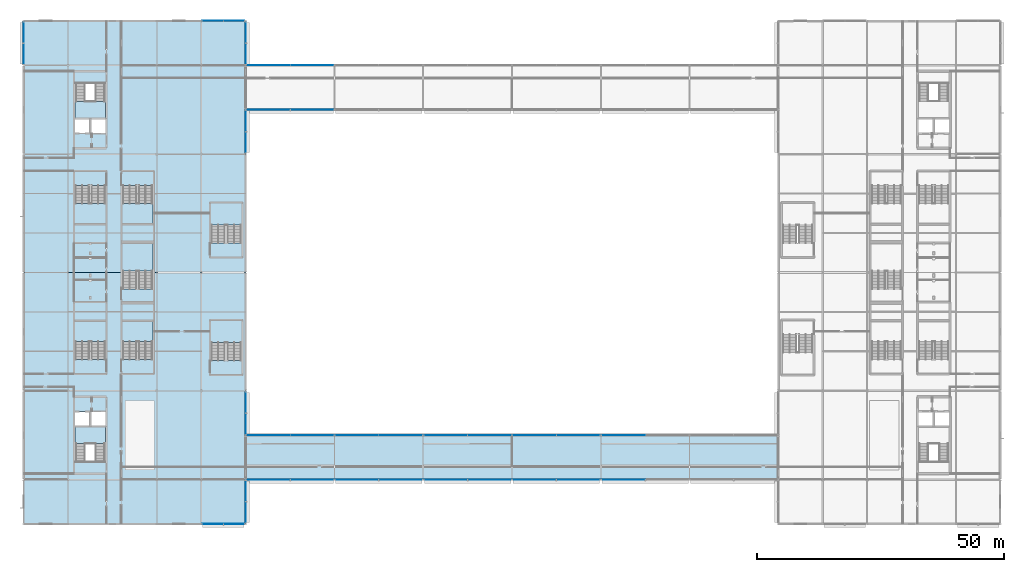
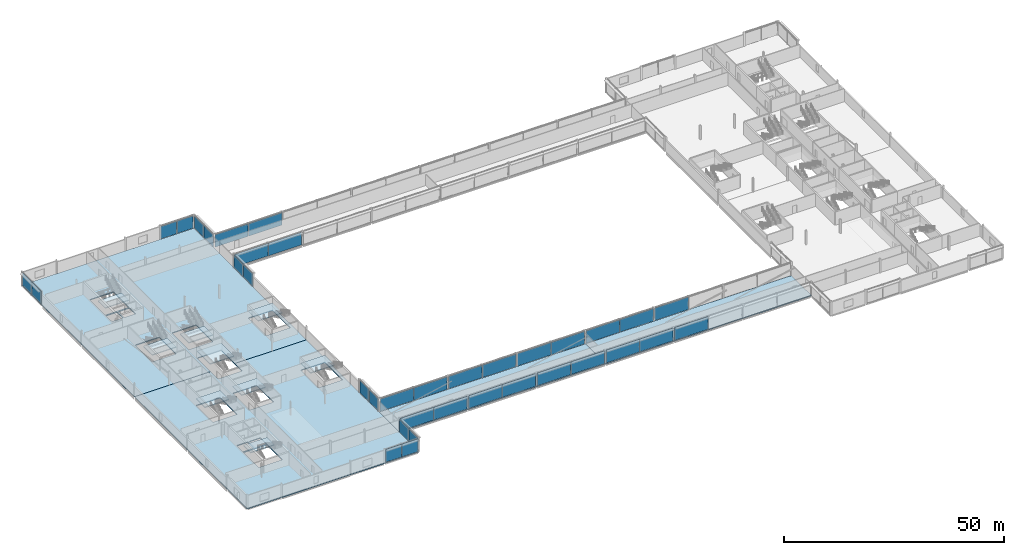
# One storey, part 54 of 98: 36 plates, 13 slabs, 28 elements without a shape of their own.
"""IFC4 building model written with IfcOpenShell, lengths in metres."""

from ifc_helpers import new_model, si_unit, direction, frame, origin, origin_2d, place, context, subcontext, project, spatial, polyline, rectangle, outline, extrude, material, layer, layer_set, type_object, element, aggregate, save


model = new_model("IFC4")

# Units and contexts
model_context = context("Model", 3, precision=1e-05, world=origin(), true_north=direction((0.0, 1.0)))
body_context = subcontext(model_context, "Body", "Model", "MODEL_VIEW")
ifc_project = project(units=[si_unit("LENGTHUNIT", "METRE"), si_unit("AREAUNIT", "SQUARE_METRE"), si_unit("VOLUMEUNIT", "CUBIC_METRE"), si_unit("PLANEANGLEUNIT", "RADIAN"), si_unit("MASSUNIT", "GRAM", prefix="KILO")], contexts=[model_context])

# Site, building, storey
site_placement = place(None, origin())
site = spatial("IfcSite", under=ifc_project, at=site_placement, CompositionType="ELEMENT")
building_placement = place(site_placement, origin())
building = spatial("IfcBuilding", under=site, at=building_placement, Name="Kisiwana Market Hall", CompositionType="ELEMENT")
storey_placement = place(building_placement, frame((0.0, 0.0, 29.39990234375)))
storey = spatial("IfcBuildingStorey", under=building, at=storey_placement, Name="L06", CompositionType="ELEMENT", Elevation=29.39990234375)

# Curtain wall, plates
ifc_material_1 = material(Name="Double-glazed solar-control low-E IGU", Category="glass")
ifc_layer_1 = layer(ifc_material_1, 0.159912109375)
ifc_layer_set_1 = layer_set([ifc_layer_1], Name="CW-ZNA-EW-8200")
curtain_wall_type = type_object("IfcCurtainWallType", Name="CW-ZNA-EW-8200", PredefinedType="USERDEFINED", material=ifc_layer_set_1)
curtain_wall_1_placement = place(storey_placement, origin())
curtain_wall_1 = element("IfcCurtainWall", 1, at=curtain_wall_1_placement, inside=storey, type_object=curtain_wall_type, Name="Unitised curtain wall CW-169 (L06)", ObjectType="UNITISED CURTAIN WALL", PredefinedType="USERDEFINED")
ifc_material_2 = material(Name="Double-glazed solar-control low-E IGU", Category="glass")
ifc_layer_2 = layer(ifc_material_2, 0.02392578125)
ifc_layer_set_2 = layer_set([ifc_layer_2], Name="PL-IGU-24")
plate_type_1 = type_object("IfcPlateType", Name="PL-IGU-24", PredefinedType="CURTAIN_PANEL", material=ifc_layer_set_2)
plate_1_placement = place(storey_placement, frame((38.357666015625, 9.0, 0.06005859375), z_axis=(0.0, 0.0, 1.0), x_axis=(1.0, 0.0, 0.0)))
plate_1 = element("IfcPlate", 2, at=plate_1_placement, type_object=plate_type_1, Name="CW-169 panel 1.1", PredefinedType="CURTAIN_PANEL", context=body_context, shape_type="SweptSolid", body=[
    extrude(rectangle(XDim=4.224609375, YDim=0.02392578125, at=origin_2d()), origin(), (0.0, 0.0, 1.0), 3.5),
])
plate_2_placement = place(storey_placement, frame((42.642333984375, 9.0, 0.06005859375), z_axis=(0.0, 0.0, 1.0), x_axis=(1.0, 0.0, 0.0)))
plate_2 = element("IfcPlate", 3, at=plate_2_placement, type_object=plate_type_1, Name="CW-169 panel 2.1", PredefinedType="CURTAIN_PANEL", context=body_context, shape_type="SweptSolid", body=[
    extrude(rectangle(XDim=4.224609375, YDim=0.02392578125, at=origin_2d()), origin(), (0.0, 0.0, 1.0), 3.5),
])
aggregate(curtain_wall_1, [plate_1, plate_2])

curtain_wall_2_placement = place(storey_placement, origin())
curtain_wall_2 = element("IfcCurtainWall", 4, at=curtain_wall_2_placement, inside=storey, type_object=curtain_wall_type, Name="Unitised curtain wall CW-173 (L06)", ObjectType="UNITISED CURTAIN WALL", PredefinedType="USERDEFINED")
plate_3_placement = place(storey_placement, frame((67.577392578125, 18.0, 0.06005859375), z_axis=(0.0, 0.0, 1.0), x_axis=(1.0, 0.0, 0.0)))
plate_3 = element("IfcPlate", 5, at=plate_3_placement, type_object=plate_type_1, Name="CW-173 panel 1.1", PredefinedType="CURTAIN_PANEL", context=body_context, shape_type="SweptSolid", body=[
    extrude(rectangle(XDim=8.784912109375, YDim=0.02392578125, at=origin_2d()), origin(), (0.0, 0.0, 1.0), 3.5),
])
plate_4_placement = place(storey_placement, frame((76.422607421875, 18.0, 0.06005859375), z_axis=(0.0, 0.0, 1.0), x_axis=(1.0, 0.0, 0.0)))
plate_4 = element("IfcPlate", 6, at=plate_4_placement, type_object=plate_type_1, Name="CW-173 panel 2.1", PredefinedType="CURTAIN_PANEL", context=body_context, shape_type="SweptSolid", body=[
    extrude(rectangle(XDim=8.784912109375, YDim=0.02392578125, at=origin_2d()), origin(), (0.0, 0.0, 1.0), 3.5),
])
aggregate(curtain_wall_2, [plate_3, plate_4])

curtain_wall_3_placement = place(storey_placement, origin())
curtain_wall_3 = element("IfcCurtainWall", 7, at=curtain_wall_3_placement, inside=storey, type_object=curtain_wall_type, Name="Unitised curtain wall CW-175 (L06)", ObjectType="UNITISED CURTAIN WALL", PredefinedType="USERDEFINED")
plate_5_placement = place(storey_placement, frame((103.577392578125, 18.0, 0.06005859375), z_axis=(0.0, 0.0, 1.0), x_axis=(1.0, 0.0, 0.0)))
plate_5 = element("IfcPlate", 8, at=plate_5_placement, type_object=plate_type_1, Name="CW-175 panel 1.1", PredefinedType="CURTAIN_PANEL", context=body_context, shape_type="SweptSolid", body=[
    extrude(rectangle(XDim=8.784912109375, YDim=0.02392578125, at=origin_2d()), origin(), (0.0, 0.0, 1.0), 3.5),
])
plate_6_placement = place(storey_placement, frame((112.422607421875, 18.0, 0.06005859375), z_axis=(0.0, 0.0, 1.0), x_axis=(1.0, 0.0, 0.0)))
plate_6 = element("IfcPlate", 9, at=plate_6_placement, type_object=plate_type_1, Name="CW-175 panel 2.1", PredefinedType="CURTAIN_PANEL", context=body_context, shape_type="SweptSolid", body=[
    extrude(rectangle(XDim=8.784912109375, YDim=0.02392578125, at=origin_2d()), origin(), (0.0, 0.0, 1.0), 3.5),
])
aggregate(curtain_wall_3, [plate_5, plate_6])

curtain_wall_4_placement = place(storey_placement, origin())
curtain_wall_4 = element("IfcCurtainWall", 10, at=curtain_wall_4_placement, inside=storey, type_object=curtain_wall_type, Name="Unitised curtain wall CW-179 (L06)", ObjectType="UNITISED CURTAIN WALL", PredefinedType="USERDEFINED")
plate_7_placement = place(storey_placement, frame((67.577392578125, 27.0, 0.06005859375), z_axis=(0.0, 0.0, 1.0), x_axis=(1.0, 0.0, 0.0)))
plate_7 = element("IfcPlate", 11, at=plate_7_placement, type_object=plate_type_1, Name="CW-179 panel 1.1", PredefinedType="CURTAIN_PANEL", context=body_context, shape_type="SweptSolid", body=[
    extrude(rectangle(XDim=8.784912109375, YDim=0.02392578125, at=origin_2d()), origin(), (0.0, 0.0, 1.0), 3.5),
])
plate_8_placement = place(storey_placement, frame((76.422607421875, 27.0, 0.06005859375), z_axis=(0.0, 0.0, 1.0), x_axis=(1.0, 0.0, 0.0)))
plate_8 = element("IfcPlate", 12, at=plate_8_placement, type_object=plate_type_1, Name="CW-179 panel 2.1", PredefinedType="CURTAIN_PANEL", context=body_context, shape_type="SweptSolid", body=[
    extrude(rectangle(XDim=8.784912109375, YDim=0.02392578125, at=origin_2d()), origin(), (0.0, 0.0, 1.0), 3.5),
])
aggregate(curtain_wall_4, [plate_7, plate_8])

curtain_wall_5_placement = place(storey_placement, origin())
curtain_wall_5 = element("IfcCurtainWall", 13, at=curtain_wall_5_placement, inside=storey, type_object=curtain_wall_type, Name="Unitised curtain wall CW-181 (L06)", ObjectType="UNITISED CURTAIN WALL", PredefinedType="USERDEFINED")
plate_9_placement = place(storey_placement, frame((103.577392578125, 27.0, 0.06005859375), z_axis=(0.0, 0.0, 1.0), x_axis=(1.0, 0.0, 0.0)))
plate_9 = element("IfcPlate", 14, at=plate_9_placement, type_object=plate_type_1, Name="CW-181 panel 1.1", PredefinedType="CURTAIN_PANEL", context=body_context, shape_type="SweptSolid", body=[
    extrude(rectangle(XDim=8.784912109375, YDim=0.02392578125, at=origin_2d()), origin(), (0.0, 0.0, 1.0), 3.5),
])
plate_10_placement = place(storey_placement, frame((112.422607421875, 27.0, 0.06005859375), z_axis=(0.0, 0.0, 1.0), x_axis=(1.0, 0.0, 0.0)))
plate_10 = element("IfcPlate", 15, at=plate_10_placement, type_object=plate_type_1, Name="CW-181 panel 2.1", PredefinedType="CURTAIN_PANEL", context=body_context, shape_type="SweptSolid", body=[
    extrude(rectangle(XDim=8.784912109375, YDim=0.02392578125, at=origin_2d()), origin(), (0.0, 0.0, 1.0), 3.5),
])
aggregate(curtain_wall_5, [plate_9, plate_10])

curtain_wall_6_placement = place(storey_placement, origin())
curtain_wall_6 = element("IfcCurtainWall", 16, at=curtain_wall_6_placement, inside=storey, type_object=curtain_wall_type, Name="Unitised curtain wall CW-199 (L06)", ObjectType="UNITISED CURTAIN WALL", PredefinedType="USERDEFINED")
plate_11_placement = place(storey_placement, frame((0.0, 104.35546875, 0.06005859375), z_axis=(0.0, 0.0, 1.0), x_axis=(0.0, 1.0, 0.0)))
plate_11 = element("IfcPlate", 17, at=plate_11_placement, type_object=plate_type_1, Name="CW-199 panel 1.1", PredefinedType="CURTAIN_PANEL", context=body_context, shape_type="SweptSolid", body=[
    extrude(rectangle(XDim=4.22900390625, YDim=0.02392578125, at=origin_2d()), origin(), (0.0, 0.0, 1.0), 3.5),
])
plate_12_placement = place(storey_placement, frame((0.0, 108.64453125, 0.06005859375), z_axis=(0.0, 0.0, 1.0), x_axis=(0.0, 1.0, 0.0)))
plate_12 = element("IfcPlate", 18, at=plate_12_placement, type_object=plate_type_1, Name="CW-199 panel 2.1", PredefinedType="CURTAIN_PANEL", context=body_context, shape_type="SweptSolid", body=[
    extrude(rectangle(XDim=4.22900390625, YDim=0.02392578125, at=origin_2d()), origin(), (0.0, 0.0, 1.0), 3.5),
])
aggregate(curtain_wall_6, [plate_11, plate_12])

curtain_wall_7_placement = place(storey_placement, origin())
curtain_wall_7 = element("IfcCurtainWall", 19, at=curtain_wall_7_placement, inside=storey, type_object=curtain_wall_type, Name="Unitised curtain wall CW-201 (L06)", ObjectType="UNITISED CURTAIN WALL", PredefinedType="USERDEFINED")
plate_13_placement = place(storey_placement, frame((45.0, 29.35546875, 0.06005859375), z_axis=(0.0, 0.0, 1.0), x_axis=(0.0, 1.0, 0.0)))
plate_13 = element("IfcPlate", 20, at=plate_13_placement, type_object=plate_type_1, Name="CW-201 panel 1.1", PredefinedType="CURTAIN_PANEL", context=body_context, shape_type="SweptSolid", body=[
    extrude(rectangle(XDim=4.22900390625, YDim=0.02392578125, at=origin_2d()), origin(), (0.0, 0.0, 1.0), 3.5),
])
plate_14_placement = place(storey_placement, frame((45.0, 33.64453125, 0.06005859375), z_axis=(0.0, 0.0, 1.0), x_axis=(0.0, 1.0, 0.0)))
plate_14 = element("IfcPlate", 21, at=plate_14_placement, type_object=plate_type_1, Name="CW-201 panel 2.1", PredefinedType="CURTAIN_PANEL", context=body_context, shape_type="SweptSolid", body=[
    extrude(rectangle(XDim=4.22900390625, YDim=0.02392578125, at=origin_2d()), origin(), (0.0, 0.0, 1.0), 3.5),
])
aggregate(curtain_wall_7, [plate_13, plate_14])

curtain_wall_8_placement = place(storey_placement, origin())
curtain_wall_8 = element("IfcCurtainWall", 22, at=curtain_wall_8_placement, inside=storey, type_object=curtain_wall_type, Name="Unitised curtain wall CW-203 (L06)", ObjectType="UNITISED CURTAIN WALL", PredefinedType="USERDEFINED")
plate_15_placement = place(storey_placement, frame((45.0, 104.35546875, 0.06005859375), z_axis=(0.0, 0.0, 1.0), x_axis=(0.0, 1.0, 0.0)))
plate_15 = element("IfcPlate", 23, at=plate_15_placement, type_object=plate_type_1, Name="CW-203 panel 1.1", PredefinedType="CURTAIN_PANEL", context=body_context, shape_type="SweptSolid", body=[
    extrude(rectangle(XDim=4.22900390625, YDim=0.02392578125, at=origin_2d()), origin(), (0.0, 0.0, 1.0), 3.5),
])
plate_16_placement = place(storey_placement, frame((45.0, 108.64453125, 0.06005859375), z_axis=(0.0, 0.0, 1.0), x_axis=(0.0, 1.0, 0.0)))
plate_16 = element("IfcPlate", 24, at=plate_16_placement, type_object=plate_type_1, Name="CW-203 panel 2.1", PredefinedType="CURTAIN_PANEL", context=body_context, shape_type="SweptSolid", body=[
    extrude(rectangle(XDim=4.22900390625, YDim=0.02392578125, at=origin_2d()), origin(), (0.0, 0.0, 1.0), 3.5),
])
aggregate(curtain_wall_8, [plate_15, plate_16])

curtain_wall_9_placement = place(storey_placement, origin())
curtain_wall_9 = element("IfcCurtainWall", 25, at=curtain_wall_9_placement, inside=storey, type_object=curtain_wall_type, Name="Unitised curtain wall CW-172 (L06)", ObjectType="UNITISED CURTAIN WALL", PredefinedType="USERDEFINED")
ifc_material_3 = material(Name="Double-glazed acoustic laminated IGU", Category="glass")
ifc_layer_3 = layer(ifc_material_3, 0.028076171875)
ifc_layer_set_3 = layer_set([ifc_layer_3], Name="PL-IGU-28")
plate_type_2 = type_object("IfcPlateType", Name="PL-IGU-28", PredefinedType="CURTAIN_PANEL", material=ifc_layer_set_3)
plate_17_placement = place(storey_placement, frame((49.622802734375, 18.0, 0.06005859375), z_axis=(0.0, 0.0, 1.0), x_axis=(1.0, 0.0, 0.0)))
plate_17 = element("IfcPlate", 26, at=plate_17_placement, type_object=plate_type_2, Name="CW-172 panel 1.1", PredefinedType="CURTAIN_PANEL", context=body_context, shape_type="SweptSolid", body=[
    extrude(rectangle(XDim=8.7548828125, YDim=0.028076171875, at=origin_2d()), origin(), (0.0, 0.0, 1.0), 3.5),
])
plate_18_placement = place(storey_placement, frame((58.4375, 18.0, 0.06005859375), z_axis=(0.0, 0.0, 1.0), x_axis=(1.0, 0.0, 0.0)))
plate_18 = element("IfcPlate", 27, at=plate_18_placement, type_object=plate_type_2, Name="CW-172 panel 2.1", PredefinedType="CURTAIN_PANEL", context=body_context, shape_type="SweptSolid", body=[
    extrude(rectangle(XDim=8.7548828125, YDim=0.028076171875, at=origin_2d()), origin(), (0.0, 0.0, 1.0), 3.5),
])
aggregate(curtain_wall_9, [plate_17, plate_18])

curtain_wall_10_placement = place(storey_placement, origin())
curtain_wall_10 = element("IfcCurtainWall", 28, at=curtain_wall_10_placement, inside=storey, type_object=curtain_wall_type, Name="Unitised curtain wall CW-174 (L06)", ObjectType="UNITISED CURTAIN WALL", PredefinedType="USERDEFINED")
plate_19_placement = place(storey_placement, frame((85.577392578125, 18.0, 0.06005859375), z_axis=(0.0, 0.0, 1.0), x_axis=(1.0, 0.0, 0.0)))
plate_19 = element("IfcPlate", 29, at=plate_19_placement, type_object=plate_type_2, Name="CW-174 panel 1.1", PredefinedType="CURTAIN_PANEL", context=body_context, shape_type="SweptSolid", body=[
    extrude(rectangle(XDim=8.784912109375, YDim=0.028076171875, at=origin_2d()), origin(), (0.0, 0.0, 1.0), 3.5),
])
plate_20_placement = place(storey_placement, frame((94.422607421875, 18.0, 0.06005859375), z_axis=(0.0, 0.0, 1.0), x_axis=(1.0, 0.0, 0.0)))
plate_20 = element("IfcPlate", 30, at=plate_20_placement, type_object=plate_type_2, Name="CW-174 panel 2.1", PredefinedType="CURTAIN_PANEL", context=body_context, shape_type="SweptSolid", body=[
    extrude(rectangle(XDim=8.784912109375, YDim=0.028076171875, at=origin_2d()), origin(), (0.0, 0.0, 1.0), 3.5),
])
aggregate(curtain_wall_10, [plate_19, plate_20])

# Curtain wall, plate
curtain_wall_11_placement = place(storey_placement, origin())
curtain_wall_11 = element("IfcCurtainWall", 31, at=curtain_wall_11_placement, inside=storey, type_object=curtain_wall_type, Name="Unitised curtain wall CW-176 (L06)", ObjectType="UNITISED CURTAIN WALL", PredefinedType="USERDEFINED")
plate_21_placement = place(storey_placement, frame((121.577392578125, 18.0, 0.06005859375), z_axis=(0.0, 0.0, 1.0), x_axis=(1.0, 0.0, 0.0)))
plate_21 = element("IfcPlate", 32, at=plate_21_placement, type_object=plate_type_2, Name="CW-176 panel 1.1", PredefinedType="CURTAIN_PANEL", context=body_context, shape_type="SweptSolid", body=[
    extrude(rectangle(XDim=8.784912109375, YDim=0.028076171875, at=origin_2d()), origin(), (0.0, 0.0, 1.0), 3.5),
])
aggregate(curtain_wall_11, [plate_21])

# Curtain wall, plates
curtain_wall_12_placement = place(storey_placement, origin())
curtain_wall_12 = element("IfcCurtainWall", 33, at=curtain_wall_12_placement, inside=storey, type_object=curtain_wall_type, Name="Unitised curtain wall CW-178 (L06)", ObjectType="UNITISED CURTAIN WALL", PredefinedType="USERDEFINED")
plate_22_placement = place(storey_placement, frame((49.622802734375, 27.0, 0.06005859375), z_axis=(0.0, 0.0, 1.0), x_axis=(1.0, 0.0, 0.0)))
plate_22 = element("IfcPlate", 34, at=plate_22_placement, type_object=plate_type_2, Name="CW-178 panel 1.1", PredefinedType="CURTAIN_PANEL", context=body_context, shape_type="SweptSolid", body=[
    extrude(rectangle(XDim=8.7548828125, YDim=0.028076171875, at=origin_2d()), origin(), (0.0, 0.0, 1.0), 3.5),
])
plate_23_placement = place(storey_placement, frame((58.4375, 27.0, 0.06005859375), z_axis=(0.0, 0.0, 1.0), x_axis=(1.0, 0.0, 0.0)))
plate_23 = element("IfcPlate", 35, at=plate_23_placement, type_object=plate_type_2, Name="CW-178 panel 2.1", PredefinedType="CURTAIN_PANEL", context=body_context, shape_type="SweptSolid", body=[
    extrude(rectangle(XDim=8.7548828125, YDim=0.028076171875, at=origin_2d()), origin(), (0.0, 0.0, 1.0), 3.5),
])
aggregate(curtain_wall_12, [plate_22, plate_23])

curtain_wall_13_placement = place(storey_placement, origin())
curtain_wall_13 = element("IfcCurtainWall", 36, at=curtain_wall_13_placement, inside=storey, type_object=curtain_wall_type, Name="Unitised curtain wall CW-180 (L06)", ObjectType="UNITISED CURTAIN WALL", PredefinedType="USERDEFINED")
plate_24_placement = place(storey_placement, frame((85.577392578125, 27.0, 0.06005859375), z_axis=(0.0, 0.0, 1.0), x_axis=(1.0, 0.0, 0.0)))
plate_24 = element("IfcPlate", 37, at=plate_24_placement, type_object=plate_type_2, Name="CW-180 panel 1.1", PredefinedType="CURTAIN_PANEL", context=body_context, shape_type="SweptSolid", body=[
    extrude(rectangle(XDim=8.784912109375, YDim=0.028076171875, at=origin_2d()), origin(), (0.0, 0.0, 1.0), 3.5),
])
plate_25_placement = place(storey_placement, frame((94.422607421875, 27.0, 0.06005859375), z_axis=(0.0, 0.0, 1.0), x_axis=(1.0, 0.0, 0.0)))
plate_25 = element("IfcPlate", 38, at=plate_25_placement, type_object=plate_type_2, Name="CW-180 panel 2.1", PredefinedType="CURTAIN_PANEL", context=body_context, shape_type="SweptSolid", body=[
    extrude(rectangle(XDim=8.784912109375, YDim=0.028076171875, at=origin_2d()), origin(), (0.0, 0.0, 1.0), 3.5),
])
aggregate(curtain_wall_13, [plate_24, plate_25])

# Curtain wall, plate
curtain_wall_14_placement = place(storey_placement, origin())
curtain_wall_14 = element("IfcCurtainWall", 39, at=curtain_wall_14_placement, inside=storey, type_object=curtain_wall_type, Name="Unitised curtain wall CW-182 (L06)", ObjectType="UNITISED CURTAIN WALL", PredefinedType="USERDEFINED")
plate_26_placement = place(storey_placement, frame((121.577392578125, 27.0, 0.06005859375), z_axis=(0.0, 0.0, 1.0), x_axis=(1.0, 0.0, 0.0)))
plate_26 = element("IfcPlate", 40, at=plate_26_placement, type_object=plate_type_2, Name="CW-182 panel 1.1", PredefinedType="CURTAIN_PANEL", context=body_context, shape_type="SweptSolid", body=[
    extrude(rectangle(XDim=8.784912109375, YDim=0.028076171875, at=origin_2d()), origin(), (0.0, 0.0, 1.0), 3.5),
])
aggregate(curtain_wall_14, [plate_26])

# Curtain wall, plates
curtain_wall_15_placement = place(storey_placement, origin())
curtain_wall_15 = element("IfcCurtainWall", 41, at=curtain_wall_15_placement, inside=storey, type_object=curtain_wall_type, Name="Unitised curtain wall CW-184 (L06)", ObjectType="UNITISED CURTAIN WALL", PredefinedType="USERDEFINED")
plate_27_placement = place(storey_placement, frame((49.622802734375, 93.0, 0.06005859375), z_axis=(0.0, 0.0, 1.0), x_axis=(1.0, 0.0, 0.0)))
plate_27 = element("IfcPlate", 42, at=plate_27_placement, type_object=plate_type_2, Name="CW-184 panel 1.1", PredefinedType="CURTAIN_PANEL", context=body_context, shape_type="SweptSolid", body=[
    extrude(rectangle(XDim=8.7548828125, YDim=0.028076171875, at=origin_2d()), origin(), (0.0, 0.0, 1.0), 3.5),
])
plate_28_placement = place(storey_placement, frame((58.4375, 93.0, 0.06005859375), z_axis=(0.0, 0.0, 1.0), x_axis=(1.0, 0.0, 0.0)))
plate_28 = element("IfcPlate", 43, at=plate_28_placement, type_object=plate_type_2, Name="CW-184 panel 2.1", PredefinedType="CURTAIN_PANEL", context=body_context, shape_type="SweptSolid", body=[
    extrude(rectangle(XDim=8.7548828125, YDim=0.028076171875, at=origin_2d()), origin(), (0.0, 0.0, 1.0), 3.5),
])
aggregate(curtain_wall_15, [plate_27, plate_28])

curtain_wall_16_placement = place(storey_placement, origin())
curtain_wall_16 = element("IfcCurtainWall", 44, at=curtain_wall_16_placement, inside=storey, type_object=curtain_wall_type, Name="Unitised curtain wall CW-190 (L06)", ObjectType="UNITISED CURTAIN WALL", PredefinedType="USERDEFINED")
plate_29_placement = place(storey_placement, frame((49.622802734375, 102.0, 0.06005859375), z_axis=(0.0, 0.0, 1.0), x_axis=(1.0, 0.0, 0.0)))
plate_29 = element("IfcPlate", 45, at=plate_29_placement, type_object=plate_type_2, Name="CW-190 panel 1.1", PredefinedType="CURTAIN_PANEL", context=body_context, shape_type="SweptSolid", body=[
    extrude(rectangle(XDim=8.7548828125, YDim=0.028076171875, at=origin_2d()), origin(), (0.0, 0.0, 1.0), 3.5),
])
plate_30_placement = place(storey_placement, frame((58.4375, 102.0, 0.06005859375), z_axis=(0.0, 0.0, 1.0), x_axis=(1.0, 0.0, 0.0)))
plate_30 = element("IfcPlate", 46, at=plate_30_placement, type_object=plate_type_2, Name="CW-190 panel 2.1", PredefinedType="CURTAIN_PANEL", context=body_context, shape_type="SweptSolid", body=[
    extrude(rectangle(XDim=8.7548828125, YDim=0.028076171875, at=origin_2d()), origin(), (0.0, 0.0, 1.0), 3.5),
])
aggregate(curtain_wall_16, [plate_29, plate_30])

curtain_wall_17_placement = place(storey_placement, origin())
curtain_wall_17 = element("IfcCurtainWall", 47, at=curtain_wall_17_placement, inside=storey, type_object=curtain_wall_type, Name="Unitised curtain wall CW-196 (L06)", ObjectType="UNITISED CURTAIN WALL", PredefinedType="USERDEFINED")
plate_31_placement = place(storey_placement, frame((38.357666015625, 111.0, 0.06005859375), z_axis=(0.0, 0.0, 1.0), x_axis=(1.0, 0.0, 0.0)))
plate_31 = element("IfcPlate", 48, at=plate_31_placement, type_object=plate_type_2, Name="CW-196 panel 1.1", PredefinedType="CURTAIN_PANEL", context=body_context, shape_type="SweptSolid", body=[
    extrude(rectangle(XDim=4.224609375, YDim=0.028076171875, at=origin_2d()), origin(), (0.0, 0.0, 1.0), 3.5),
])
plate_32_placement = place(storey_placement, frame((42.642333984375, 111.0, 0.06005859375), z_axis=(0.0, 0.0, 1.0), x_axis=(1.0, 0.0, 0.0)))
plate_32 = element("IfcPlate", 49, at=plate_32_placement, type_object=plate_type_2, Name="CW-196 panel 2.1", PredefinedType="CURTAIN_PANEL", context=body_context, shape_type="SweptSolid", body=[
    extrude(rectangle(XDim=4.224609375, YDim=0.028076171875, at=origin_2d()), origin(), (0.0, 0.0, 1.0), 3.5),
])
aggregate(curtain_wall_17, [plate_31, plate_32])

curtain_wall_18_placement = place(storey_placement, origin())
curtain_wall_18 = element("IfcCurtainWall", 50, at=curtain_wall_18_placement, inside=storey, type_object=curtain_wall_type, Name="Unitised curtain wall CW-200 (L06)", ObjectType="UNITISED CURTAIN WALL", PredefinedType="USERDEFINED")
plate_33_placement = place(storey_placement, frame((45.0, 11.35546875, 0.06005859375), z_axis=(0.0, 0.0, 1.0), x_axis=(0.0, 1.0, 0.0)))
plate_33 = element("IfcPlate", 51, at=plate_33_placement, type_object=plate_type_2, Name="CW-200 panel 1.1", PredefinedType="CURTAIN_PANEL", context=body_context, shape_type="SweptSolid", body=[
    extrude(rectangle(XDim=4.22900390625, YDim=0.028076171875, at=origin_2d()), origin(), (0.0, 0.0, 1.0), 3.5),
])
plate_34_placement = place(storey_placement, frame((45.0, 15.64453125, 0.06005859375), z_axis=(0.0, 0.0, 1.0), x_axis=(0.0, 1.0, 0.0)))
plate_34 = element("IfcPlate", 52, at=plate_34_placement, type_object=plate_type_2, Name="CW-200 panel 2.1", PredefinedType="CURTAIN_PANEL", context=body_context, shape_type="SweptSolid", body=[
    extrude(rectangle(XDim=4.22900390625, YDim=0.028076171875, at=origin_2d()), origin(), (0.0, 0.0, 1.0), 3.5),
])
aggregate(curtain_wall_18, [plate_33, plate_34])

curtain_wall_19_placement = place(storey_placement, origin())
curtain_wall_19 = element("IfcCurtainWall", 53, at=curtain_wall_19_placement, inside=storey, type_object=curtain_wall_type, Name="Unitised curtain wall CW-202 (L06)", ObjectType="UNITISED CURTAIN WALL", PredefinedType="USERDEFINED")
plate_35_placement = place(storey_placement, frame((45.0, 86.35546875, 0.06005859375), z_axis=(0.0, 0.0, 1.0), x_axis=(0.0, 1.0, 0.0)))
plate_35 = element("IfcPlate", 54, at=plate_35_placement, type_object=plate_type_2, Name="CW-202 panel 1.1", PredefinedType="CURTAIN_PANEL", context=body_context, shape_type="SweptSolid", body=[
    extrude(rectangle(XDim=4.22900390625, YDim=0.028076171875, at=origin_2d()), origin(), (0.0, 0.0, 1.0), 3.5),
])
plate_36_placement = place(storey_placement, frame((45.0, 90.64453125, 0.06005859375), z_axis=(0.0, 0.0, 1.0), x_axis=(0.0, 1.0, 0.0)))
plate_36 = element("IfcPlate", 55, at=plate_36_placement, type_object=plate_type_2, Name="CW-202 panel 2.1", PredefinedType="CURTAIN_PANEL", context=body_context, shape_type="SweptSolid", body=[
    extrude(rectangle(XDim=4.22900390625, YDim=0.028076171875, at=origin_2d()), origin(), (0.0, 0.0, 1.0), 3.5),
])
aggregate(curtain_wall_19, [plate_35, plate_36])

# Stair, slab
ifc_material_4 = material(Name="Concrete C32/40", Category="concrete")
stair_type_1 = type_object("IfcStairType", Name="ST-TWR-3900", PredefinedType="TWO_STRAIGHT_RUN_STAIR", material=ifc_material_4)
stair_1_placement = place(storey_placement, origin())
stair_1 = element("IfcStair", 56, at=stair_1_placement, inside=storey, type_object=stair_type_1, Name="Escape stair ST-W2-L06", PredefinedType="TWO_STRAIGHT_RUN_STAIR")
ifc_material_5 = material(Name="Concrete C32/40", Category="concrete")
ifc_layer_4 = layer(ifc_material_5, 0.239990234375)
ifc_layer_set_4 = layer_set([ifc_layer_4], Name="SL-LANDING-160")
slab_type_1 = type_object("IfcSlabType", Name="SL-LANDING-160", PredefinedType="LANDING", material=ifc_layer_set_4)
slab_1_placement = place(storey_placement, frame((0.0, 0.0, 1.710205078125)))
slab_1 = element("IfcSlab", 57, at=slab_1_placement, type_object=slab_type_1, Name="ST-W2-L06 landing 1 S-295", PredefinedType="LANDING", context=body_context, shape_type="SweptSolid", body=[
    extrude(outline(polyline([(10.405029296875, 25.333984375), (16.594970703125, 25.333984375), (16.594970703125, 28.64501953125), (10.405029296875, 28.64501953125), (10.405029296875, 25.333984375)])), origin(), (0.0, 0.0, 1.0), 0.239990234375),
])
aggregate(stair_1, [slab_1])

stair_2_placement = place(storey_placement, origin())
stair_2 = element("IfcStair", 58, at=stair_2_placement, inside=storey, type_object=stair_type_1, Name="Escape stair ST-W1-L06", PredefinedType="TWO_STRAIGHT_RUN_STAIR")
slab_2_placement = place(storey_placement, frame((0.0, 0.0, 1.710205078125)))
slab_2 = element("IfcSlab", 59, at=slab_2_placement, type_object=slab_type_1, Name="ST-W1-L06 landing 1 S-293", PredefinedType="LANDING", context=body_context, shape_type="SweptSolid", body=[
    extrude(outline(polyline([(10.405029296875, 91.35498046875), (16.594970703125, 91.35498046875), (16.594970703125, 94.666015625), (10.405029296875, 94.666015625), (10.405029296875, 91.35498046875)])), origin(), (0.0, 0.0, 1.0), 0.239990234375),
])
aggregate(stair_2, [slab_2])

ifc_material_6 = material(Name="Concrete C32/40", Category="concrete")
stair_type_2 = type_object("IfcStairType", Name="ST-ESC-3900", PredefinedType="TWO_STRAIGHT_RUN_STAIR", material=ifc_material_6)
stair_3_placement = place(storey_placement, origin())
stair_3 = element("IfcStair", 60, at=stair_3_placement, inside=storey, type_object=stair_type_2, Name="Escape stair ST-W3-L06", PredefinedType="TWO_STRAIGHT_RUN_STAIR")
slab_3_placement = place(storey_placement, frame((0.0, 0.0, 1.710205078125)))
slab_3 = element("IfcSlab", 61, at=slab_3_placement, type_object=slab_type_1, Name="ST-W3-L06 landing 1 S-296", PredefinedType="LANDING", context=body_context, shape_type="SweptSolid", body=[
    extrude(outline(polyline([(10.340087890625, 46.01953125), (16.659912109375, 46.01953125), (16.659912109375, 50.06005859375), (10.340087890625, 50.06005859375), (10.340087890625, 46.01953125)])), origin(), (0.0, 0.0, 1.0), 0.239990234375),
])
aggregate(stair_3, [slab_3])

stair_4_placement = place(storey_placement, origin())
stair_4 = element("IfcStair", 62, at=stair_4_placement, inside=storey, type_object=stair_type_2, Name="Escape stair ST-W4-L06", PredefinedType="TWO_STRAIGHT_RUN_STAIR")
slab_4_placement = place(storey_placement, frame((0.0, 0.0, 1.710205078125)))
slab_4 = element("IfcSlab", 63, at=slab_4_placement, type_object=slab_type_1, Name="ST-W4-L06 landing 1 S-297", PredefinedType="LANDING", context=body_context, shape_type="SweptSolid", body=[
    extrude(outline(polyline([(10.340087890625, 69.93994140625), (16.659912109375, 69.93994140625), (16.659912109375, 73.98046875), (10.340087890625, 73.98046875), (10.340087890625, 69.93994140625)])), origin(), (0.0, 0.0, 1.0), 0.239990234375),
])
aggregate(stair_4, [slab_4])

stair_5_placement = place(storey_placement, origin())
stair_5 = element("IfcStair", 64, at=stair_5_placement, inside=storey, type_object=stair_type_2, Name="Escape stair ST-W7-L06", PredefinedType="TWO_STRAIGHT_RUN_STAIR")
slab_5_placement = place(storey_placement, frame((0.0, 0.0, 1.710205078125)))
slab_5 = element("IfcSlab", 65, at=slab_5_placement, type_object=slab_type_1, Name="ST-W7-L06 landing 1 S-299", PredefinedType="LANDING", context=body_context, shape_type="SweptSolid", body=[
    extrude(outline(polyline([(19.93994140625, 46.01953125), (26.260009765625, 46.01953125), (26.260009765625, 50.06005859375), (19.93994140625, 50.06005859375), (19.93994140625, 46.01953125)])), origin(), (0.0, 0.0, 1.0), 0.239990234375),
])
aggregate(stair_5, [slab_5])

stair_6_placement = place(storey_placement, origin())
stair_6 = element("IfcStair", 66, at=stair_6_placement, inside=storey, type_object=stair_type_2, Name="Escape stair ST-W8-L06", PredefinedType="TWO_STRAIGHT_RUN_STAIR")
slab_6_placement = place(storey_placement, frame((0.0, 0.0, 1.710205078125)))
slab_6 = element("IfcSlab", 67, at=slab_6_placement, type_object=slab_type_1, Name="ST-W8-L06 landing 1 S-300", PredefinedType="LANDING", context=body_context, shape_type="SweptSolid", body=[
    extrude(outline(polyline([(19.93994140625, 69.93994140625), (26.260009765625, 69.93994140625), (26.260009765625, 73.98046875), (19.93994140625, 73.98046875), (19.93994140625, 69.93994140625)])), origin(), (0.0, 0.0, 1.0), 0.239990234375),
])
aggregate(stair_6, [slab_6])

stair_7_placement = place(storey_placement, origin())
stair_7 = element("IfcStair", 68, at=stair_7_placement, inside=storey, type_object=stair_type_2, Name="Escape stair ST-W9-L06", PredefinedType="TWO_STRAIGHT_RUN_STAIR")
slab_7_placement = place(storey_placement, frame((0.0, 0.0, 1.710205078125)))
slab_7 = element("IfcSlab", 69, at=slab_7_placement, type_object=slab_type_1, Name="ST-W9-L06 landing 1 S-301", PredefinedType="LANDING", context=body_context, shape_type="SweptSolid", body=[
    extrude(outline(polyline([(37.909912109375, 45.819580078125), (44.22998046875, 45.819580078125), (44.22998046875, 50.260009765625), (37.909912109375, 50.260009765625), (37.909912109375, 45.819580078125)])), origin(), (0.0, 0.0, 1.0), 0.239990234375),
])
aggregate(stair_7, [slab_7])

stair_8_placement = place(storey_placement, origin())
stair_8 = element("IfcStair", 70, at=stair_8_placement, inside=storey, type_object=stair_type_2, Name="Escape stair ST-W10-L06", PredefinedType="TWO_STRAIGHT_RUN_STAIR")
slab_8_placement = place(storey_placement, frame((0.0, 0.0, 1.710205078125)))
slab_8 = element("IfcSlab", 71, at=slab_8_placement, type_object=slab_type_1, Name="ST-W10-L06 landing 1 S-294", PredefinedType="LANDING", context=body_context, shape_type="SweptSolid", body=[
    extrude(outline(polyline([(37.909912109375, 69.619384765625), (44.22998046875, 69.619384765625), (44.22998046875, 74.06005859375), (37.909912109375, 74.06005859375), (37.909912109375, 69.619384765625)])), origin(), (0.0, 0.0, 1.0), 0.239990234375),
])
aggregate(stair_8, [slab_8])

stair_9_placement = place(storey_placement, origin())
stair_9 = element("IfcStair", 72, at=stair_9_placement, inside=storey, type_object=stair_type_2, Name="Escape stair ST-W5-L06", PredefinedType="TWO_STRAIGHT_RUN_STAIR")
slab_9_placement = place(storey_placement, frame((0.0, 0.0, 1.710205078125)))
slab_9 = element("IfcSlab", 73, at=slab_9_placement, type_object=slab_type_1, Name="ST-W5-L06 landing 1 S-298", PredefinedType="LANDING", context=body_context, shape_type="SweptSolid", body=[
    extrude(outline(polyline([(19.93994140625, 60.299560546875), (26.260009765625, 60.299560546875), (26.260009765625, 66.179931640625), (19.93994140625, 66.179931640625), (19.93994140625, 60.299560546875)])), origin(), (0.0, 0.0, 1.0), 0.239990234375),
])
aggregate(stair_9, [slab_9])

# Slabs
ifc_material_7 = material(Name="Concrete C32/40", Category="concrete")
ifc_layer_5 = layer(ifc_material_7, 0.2451171875)
ifc_layer_set_5 = layer_set([ifc_layer_5], Name="SL-OFF-175")
slab_type_2 = type_object("IfcSlabType", Name="SL-OFF-175", PredefinedType="FLOOR", material=ifc_layer_set_5)
slab_10_placement = place(storey_placement, frame((0.0, 0.0, -0.244873046875)))
element("IfcSlab", 74, at=slab_10_placement, inside=storey, type_object=slab_type_2, Name="Structural slab S-276", PredefinedType="FLOOR", context=body_context, shape_type="SweptSolid", body=[
    extrude(outline(polyline([(0.0, 9.0), (45.0, 9.0), (45.0, 60.0), (26.239990234375, 60.0), (26.239990234375, 56.659912109375), (19.9599609375, 56.659912109375), (19.9599609375, 60.0), (0.0, 60.0), (0.0, 9.0)]), holes=[polyline([(10.425048828125, 21.675048828125), (16.574951171875, 21.675048828125), (16.574951171875, 28.625), (10.425048828125, 28.625), (10.425048828125, 21.675048828125)]), polyline([(10.425048828125, 28.945068359375), (13.340087890625, 28.945068359375), (13.340087890625, 31.675048828125), (10.425048828125, 31.675048828125), (10.425048828125, 28.945068359375)]), polyline([(13.659912109375, 28.945068359375), (16.574951171875, 28.945068359375), (16.574951171875, 31.675048828125), (13.659912109375, 31.675048828125), (13.659912109375, 28.945068359375)]), polyline([(10.360107421875, 42.3798828125), (16.639892578125, 42.3798828125), (16.639892578125, 50.0400390625), (10.360107421875, 50.0400390625), (10.360107421875, 42.3798828125)]), polyline([(19.9599609375, 42.3798828125), (26.239990234375, 42.3798828125), (26.239990234375, 50.0400390625), (19.9599609375, 50.0400390625), (19.9599609375, 42.3798828125)]), polyline([(37.929931640625, 42.179931640625), (44.2099609375, 42.179931640625), (44.2099609375, 50.239990234375), (37.929931640625, 50.239990234375), (37.929931640625, 42.179931640625)])]), origin(), (0.0, 0.0, 1.0), 0.244873046875),
])
slab_11_placement = place(storey_placement, frame((0.0, 0.0, -0.244873046875)))
element("IfcSlab", 75, at=slab_11_placement, inside=storey, type_object=slab_type_2, Name="Structural slab S-277", PredefinedType="FLOOR", context=body_context, shape_type="SweptSolid", body=[
    extrude(outline(polyline([(0.0, 60.0), (19.9599609375, 60.0), (19.9599609375, 66.159912109375), (26.239990234375, 66.159912109375), (26.239990234375, 60.0), (45.0, 60.0), (45.0, 111.0), (0.0, 111.0), (0.0, 60.0)]), holes=[polyline([(10.425048828125, 91.375), (16.574951171875, 91.375), (16.574951171875, 98.324951171875), (10.425048828125, 98.324951171875), (10.425048828125, 91.375)]), polyline([(10.425048828125, 88.324951171875), (13.340087890625, 88.324951171875), (13.340087890625, 91.054931640625), (10.425048828125, 91.054931640625), (10.425048828125, 88.324951171875)]), polyline([(13.659912109375, 88.324951171875), (16.574951171875, 88.324951171875), (16.574951171875, 91.054931640625), (13.659912109375, 91.054931640625), (13.659912109375, 88.324951171875)]), polyline([(10.360107421875, 69.9599609375), (16.639892578125, 69.9599609375), (16.639892578125, 77.6201171875), (10.360107421875, 77.6201171875), (10.360107421875, 69.9599609375)]), polyline([(19.9599609375, 69.9599609375), (26.239990234375, 69.9599609375), (26.239990234375, 77.6201171875), (19.9599609375, 77.6201171875), (19.9599609375, 69.9599609375)]), polyline([(37.929931640625, 65.97998046875), (44.2099609375, 65.97998046875), (44.2099609375, 74.0400390625), (37.929931640625, 74.0400390625), (37.929931640625, 65.97998046875)])]), origin(), (0.0, 0.0, 1.0), 0.244873046875),
])
ifc_material_8 = material(Name="Concrete C32/40", Category="concrete")
ifc_layer_6 = layer(ifc_material_8, 0.264892578125)
ifc_layer_set_6 = layer_set([ifc_layer_6], Name="SL-SKYBR-190")
slab_type_3 = type_object("IfcSlabType", Name="SL-SKYBR-190", PredefinedType="FLOOR", material=ifc_layer_set_6)
slab_12_placement = place(storey_placement, frame((0.0, 0.0, -0.264892578125)))
element("IfcSlab", 76, at=slab_12_placement, inside=storey, type_object=slab_type_3, Name="Structural slab S-280", PredefinedType="FLOOR", context=body_context, shape_type="SweptSolid", body=[
    extrude(outline(polyline([(45.0, 18.0), (99.0, 18.0), (99.0, 27.0), (45.0, 27.0), (45.0, 18.0)])), origin(), (0.0, 0.0, 1.0), 0.264892578125),
])
slab_13_placement = place(storey_placement, frame((0.0, 0.0, -0.264892578125)))
element("IfcSlab", 77, at=slab_13_placement, inside=storey, type_object=slab_type_3, Name="Structural slab S-281", PredefinedType="FLOOR", context=body_context, shape_type="SweptSolid", body=[
    extrude(outline(polyline([(99.0, 18.0), (153.0, 18.0), (153.0, 27.0), (99.0, 27.0), (99.0, 18.0)])), origin(), (0.0, 0.0, 1.0), 0.264892578125),
])

save(model, "model.ifc")
